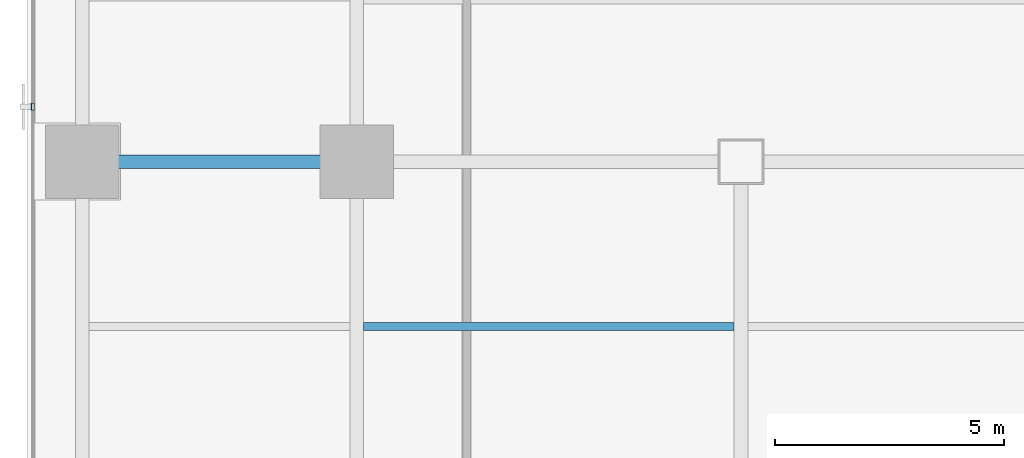
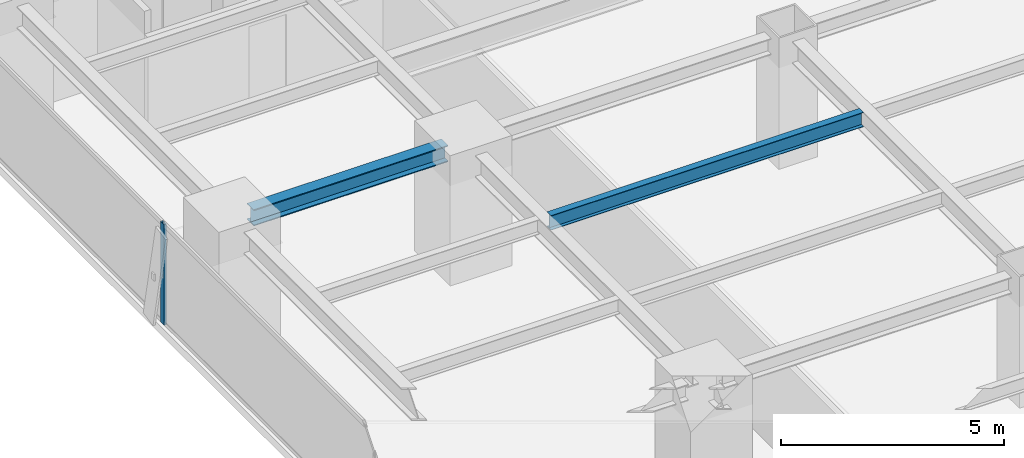
# One storey, part 7 of 27: 2 beams, 1 member, 1 element without a shape of its own.
"""IFC4 building model written with IfcOpenShell, lengths in metres."""

from ifc_helpers import new_model, si_unit, direction, frame, origin, origin_2d, place, context, subcontext, project, spatial, hollow_rectangle, i_section, extrude, source, transform, mapped, material, layer, layer_set, material_profile, profile_set, type_object, element, aggregate, save


model = new_model("IFC4")

# Units and contexts
model_context = context("Model", 3, precision=1e-05, world=origin(), true_north=direction((0.0, 1.0)))
body_context = subcontext(model_context, "Body", "Model", "MODEL_VIEW")
ifc_project = project(units=[si_unit("LENGTHUNIT", "METRE"), si_unit("AREAUNIT", "SQUARE_METRE"), si_unit("VOLUMEUNIT", "CUBIC_METRE"), si_unit("PLANEANGLEUNIT", "RADIAN"), si_unit("MASSUNIT", "GRAM", prefix="KILO")], contexts=[model_context])

# Site, building, storey
site_placement = place(None, origin())
site = spatial("IfcSite", under=ifc_project, at=site_placement, CompositionType="ELEMENT")
building_placement = place(site_placement, origin())
building = spatial("IfcBuilding", under=site, at=building_placement, Name="Sumidabori Civic Tower", CompositionType="ELEMENT")
storey_placement = place(building_placement, frame((0.0, 0.0, 164.0)))
storey = spatial("IfcBuildingStorey", under=building, at=storey_placement, Name="L42", CompositionType="ELEMENT", Elevation=164.0)

# Beams
ifc_material_1 = material(Name="Steel SN490", Category="steel")
ifc_material_profile_1 = material_profile(ifc_material_1, i_section(OverallWidth=0.179931640625, OverallDepth=0.39990234375, WebThickness=0.008544921875, FlangeThickness=0.013427734375, at=origin_2d()), Name="IPE 400")
ifc_profile_set_1 = profile_set([ifc_material_profile_1], Name="Steel SN490")
beam_type_1 = type_object("IfcBeamType", Name="BM-JST-400", PredefinedType="JOIST", material=ifc_profile_set_1)
shared_shape_1 = source(origin(), body_context, "Body", "SweptSolid", [
    extrude(i_section(OverallWidth=0.179931640625, OverallDepth=0.39990234375, WebThickness=0.008544921875, FlangeThickness=0.013427734375, at=origin_2d()), origin(), (0.0, 0.0, 1.0), 8.099853515625),
])
beam_1_placement = place(storey_placement, frame((-16.64990234375, -3.60009765625, 3.179931640625), z_axis=(1.0, 0.0, 0.0), x_axis=(0.0, 1.0, 0.0)))
element("IfcBeam", 1, at=beam_1_placement, inside=storey, type_object=beam_type_1, Name="South Bay Floor Joist L42 JSTS-57", PredefinedType="JOIST", context=body_context, shape_type="MappedRepresentation", body=[
    mapped(shared_shape_1, transform((0.0, 0.0, 0.0), x_axis=(1.0, 0.0, 0.0), y_axis=(0.0, 1.0, 0.0), z_axis=(0.0, 0.0, 1.0), scale=1.0)),
])
ifc_material_profile_2 = material_profile(ifc_material_1, i_section(OverallWidth=0.300048828125, OverallDepth=0.449951171875, WebThickness=0.013916015625, FlangeThickness=0.02587890625, at=origin_2d()), Name="HE 450 B")
ifc_profile_set_2 = profile_set([ifc_material_profile_2], Name="Steel SN490")
beam_type_2 = type_object("IfcBeamType", Name="BM-GIRD-450", PredefinedType="BEAM", material=ifc_profile_set_2)
shared_shape_2 = source(origin(), body_context, "Body", "SweptSolid", [
    extrude(i_section(OverallWidth=0.300048828125, OverallDepth=0.449951171875, WebThickness=0.013916015625, FlangeThickness=0.02587890625, at=origin_2d()), origin(), (0.0, 0.0, 1.0), 5.0400390625),
])
beam_2_placement = place(storey_placement, frame((-22.320068359375, 0.0, 3.155029296875), z_axis=(1.0, 0.0, 0.0), x_axis=(0.0, 1.0, 0.0)))
element("IfcBeam", 2, at=beam_2_placement, inside=storey, type_object=beam_type_2, Name="Primary Girder L42 GX-11", PredefinedType="BEAM", context=body_context, shape_type="MappedRepresentation", body=[
    mapped(shared_shape_2, transform((0.0, 0.0, 0.0), x_axis=(1.0, 0.0, 0.0), y_axis=(0.0, 1.0, 0.0), z_axis=(0.0, 0.0, 1.0), scale=1.0)),
])

# Curtain wall, member
ifc_material_2 = material(Name="Anodised Bronze Aluminium AW-6063-T6", Category="aluminium")
ifc_layer = layer(ifc_material_2, 0.179931640625, Name="Anodised Bronze Aluminium AW-6063-T6")
ifc_layer_set = layer_set([ifc_layer], Name="Anodised Bronze Aluminium AW-6063-T6")
curtain_wall_type = type_object("IfcCurtainWallType", Name="CW-SYS-3", PredefinedType="NOTDEFINED", material=ifc_layer_set)
curtain_wall_placement = place(storey_placement, origin())
curtain_wall = element("IfcCurtainWall", 3, at=curtain_wall_placement, inside=storey, type_object=curtain_wall_type, Name="Curtain Wall CW:L42:R10", PredefinedType="NOTDEFINED")
ifc_material_profile_3 = material_profile(ifc_material_2, hollow_rectangle(XDim=0.06494140625, YDim=0.159912109375, WallThickness=0.0048828125, at=origin_2d()), Name="ALU MULLION 160x65")
ifc_profile_set_3 = profile_set([ifc_material_profile_3], Name="Anodised Bronze Aluminium AW-6063-T6")
member_type = type_object("IfcMemberType", Name="CW-MUL-160", PredefinedType="MULLION", material=ifc_profile_set_3)
shared_shape_3 = source(origin(), body_context, "Body", "SweptSolid", [
    extrude(hollow_rectangle(XDim=0.06494140625, YDim=0.159912109375, WallThickness=0.0048828125, at=origin_2d()), origin(), (0.0, 0.0, 1.0), 2.760009765625),
])
member_placement = place(storey_placement, frame((-23.8798828125, 1.199951171875, 0.0), z_axis=(0.0, 0.0, 1.0), x_axis=(1.0, 0.0, 0.0)))
member = element("IfcMember", 4, at=member_placement, type_object=member_type, Name="CW-3 mullion 3", PredefinedType="MULLION", context=body_context, shape_type="MappedRepresentation", body=[
    mapped(shared_shape_3, transform((0.0, 0.0, 0.0), x_axis=(1.0, 0.0, 0.0), y_axis=(0.0, 1.0, 0.0), z_axis=(0.0, 0.0, 1.0), scale=1.0)),
])
aggregate(curtain_wall, [member])

save(model, "model.ifc")
